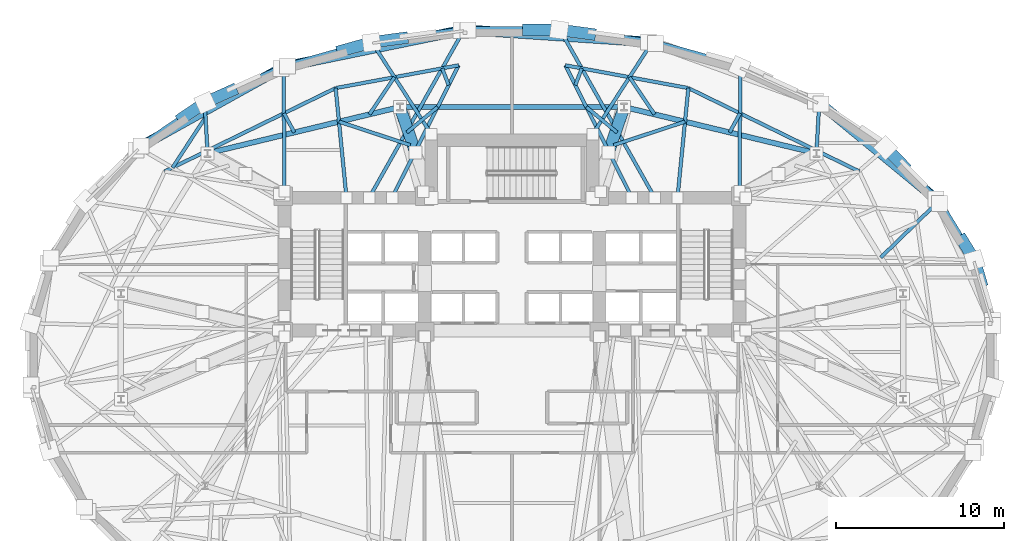
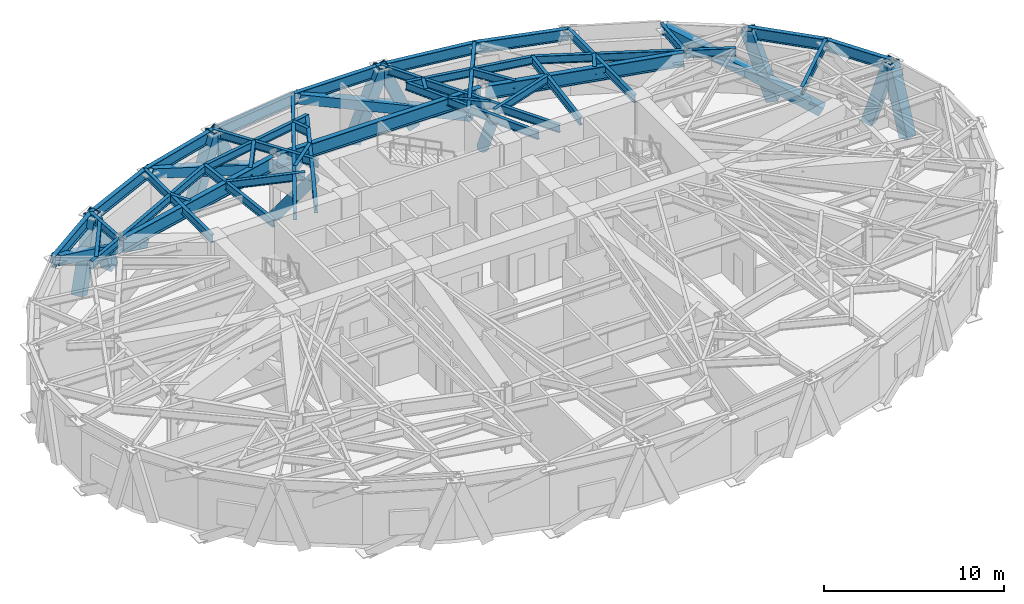
# One storey, part 5 of 14: 40 beams, 15 members.
"""IFC4 building model written with IfcOpenShell, lengths in metres."""

from ifc_helpers import new_model, si_unit, direction, frame, origin, origin_2d, place, context, subcontext, project, spatial, hollow_rectangle, hollow_circle, i_section, extrude, material, material_profile, profile_set, type_object, element, save


model = new_model("IFC4")

# Units and contexts
model_context = context("Model", 3, precision=1e-05, world=origin(), true_north=direction((0.0, 1.0)))
body_context = subcontext(model_context, "Body", "Model", "MODEL_VIEW")
ifc_project = project(units=[si_unit("LENGTHUNIT", "METRE"), si_unit("AREAUNIT", "SQUARE_METRE"), si_unit("VOLUMEUNIT", "CUBIC_METRE"), si_unit("PLANEANGLEUNIT", "RADIAN"), si_unit("MASSUNIT", "GRAM", prefix="KILO")], contexts=[model_context])

# Site, building, storey
site_placement = place(None, origin())
site = spatial("IfcSite", under=ifc_project, at=site_placement, CompositionType="ELEMENT")
building_placement = place(site_placement, origin())
building = spatial("IfcBuilding", under=site, at=building_placement, Name="Keldmark Tower", CompositionType="ELEMENT")
storey_placement = place(building_placement, frame((0.0, 0.0, 77.39990234375)))
storey = spatial("IfcBuildingStorey", under=building, at=storey_placement, Name="L20", CompositionType="ELEMENT", Elevation=77.39990234375)

# Members
ifc_material_1 = material(Name="Steel ASTM A572 Grade 50", Category="steel")
ifc_material_profile_1 = material_profile(ifc_material_1, hollow_rectangle(XDim=0.60009765625, YDim=0.60009765625, WallThickness=0.034912109375, at=origin_2d()), Name="BOX600X600X35")
ifc_profile_set_1 = profile_set([ifc_material_profile_1], Name="Steel ASTM A572 Grade 50")
member_type_1 = type_object("IfcMemberType", Name="Belt Truss Diagonal Brace BOX600", PredefinedType="BRACE", material=ifc_profile_set_1)
member_1_placement = place(storey_placement, frame((25.220947265625, 9.291015625, -0.539794921875), z_axis=(-0.687351392693, 0.566644585006, 0.454380872448), x_axis=(-0.636102163056, -0.771604845861, 0.0)))
element("IfcMember", 1, at=member_1_placement, inside=storey, type_object=member_type_1, Name="L20 Perimeter Belt Truss Brace 02", PredefinedType="BRACE", context=body_context, shape_type="SweptSolid", body=[
    extrude(hollow_rectangle(XDim=0.60009765625, YDim=0.60009765625, WallThickness=0.034912109375, at=origin_2d()), origin(), (0.0, 0.0, 1.0), 9.947021484375),
])
member_2_placement = place(storey_placement, frame((8.121337890625, 18.6328125, -0.539794921875), z_axis=(-0.919777051664, 0.061204004872, 0.387639323365), x_axis=(-0.066395385171, -0.997793391854, 0.0)))
element("IfcMember", 2, at=member_2_placement, inside=storey, type_object=member_type_1, Name="L20 Perimeter Belt Truss Brace 04", PredefinedType="BRACE", context=body_context, shape_type="SweptSolid", body=[
    extrude(hollow_rectangle(XDim=0.60009765625, YDim=0.60009765625, WallThickness=0.034912109375, at=origin_2d()), origin(), (0.0, 0.0, 1.0), 11.65966796875),
])
member_3_placement = place(storey_placement, frame((-3.03857421875, 19.316650390625, -0.539794921875), z_axis=(-0.900089258732, -0.184893796968, 0.394529606187), x_axis=(0.201215770394, -0.979546943104, 0.0)))
element("IfcMember", 3, at=member_3_placement, inside=storey, type_object=member_type_1, Name="L20 Perimeter Belt Truss Brace 05", PredefinedType="BRACE", context=body_context, shape_type="SweptSolid", body=[
    extrude(hollow_rectangle(XDim=0.60009765625, YDim=0.60009765625, WallThickness=0.034912109375, at=origin_2d()), origin(), (0.0, 0.0, 1.0), 11.4560546875),
])
member_4_placement = place(storey_placement, frame((-13.735595703125, 17.0595703125, -0.539794921875), z_axis=(-0.789813707761, -0.438764815289, 0.42857874877), x_axis=(0.485625527038, -0.874166944862, 0.0)))
element("IfcMember", 4, at=member_4_placement, inside=storey, type_object=member_type_1, Name="L20 Perimeter Belt Truss Brace 06", PredefinedType="BRACE", context=body_context, shape_type="SweptSolid", body=[
    extrude(hollow_rectangle(XDim=0.60009765625, YDim=0.60009765625, WallThickness=0.034912109375, at=origin_2d()), origin(), (0.0, 0.0, 1.0), 10.5458984375),
])
ifc_material_2 = material(Name="Steel ASTM A572 Grade 50", Category="steel")
ifc_material_profile_2 = material_profile(ifc_material_2, hollow_rectangle(XDim=0.699951171875, YDim=0.699951171875, WallThickness=0.054931640625, at=origin_2d()), Name="BOX700X700X55")
ifc_profile_set_2 = profile_set([ifc_material_profile_2], Name="Steel ASTM A572 Grade 50")
member_type_2 = type_object("IfcMemberType", Name="Diagrid Zone 1 Brace BOX700X700X55", PredefinedType="BRACE", material=ifc_profile_set_2)
member_5_placement = place(storey_placement, frame((27.8671875, 4.40478515625, -0.31982421875), z_axis=(-0.078649511346, 0.267921156415, 0.960225238322), x_axis=(-0.959511596094, -0.281669126744, 0.0)))
element("IfcMember", 5, at=member_5_placement, inside=storey, type_object=member_type_2, Name="L20 Perimeter Diagrid Brace 01A", PredefinedType="BRACE", context=body_context, shape_type="SweptSolid", body=[
    extrude(hollow_rectangle(XDim=0.699951171875, YDim=0.699951171875, WallThickness=0.054931640625, at=origin_2d()), origin(), (0.0, 0.0, 1.0), 4.66552734375),
])
member_6_placement = place(storey_placement, frame((26.7822265625, 6.8203125, -0.31982421875), z_axis=(0.153640198421, -0.251084541216, 0.9556941156), x_axis=(0.852979915636, 0.521943735973, 0.0)))
element("IfcMember", 6, at=member_6_placement, inside=storey, type_object=member_type_2, Name="L20 Perimeter Diagrid Brace 01B", PredefinedType="BRACE", context=body_context, shape_type="SweptSolid", body=[
    extrude(hollow_rectangle(XDim=0.699951171875, YDim=0.699951171875, WallThickness=0.054931640625, at=origin_2d()), origin(), (0.0, 0.0, 1.0), 4.687744140625),
])
member_7_placement = place(storey_placement, frame((23.25537109375, 11.282958984375, -0.31982421875), z_axis=(-0.221500194035, 0.224396297436, 0.94899102511), x_axis=(-0.711684437638, -0.702499296244, 0.0)))
element("IfcMember", 7, at=member_7_placement, inside=storey, type_object=member_type_2, Name="L20 Perimeter Diagrid Brace 02A", PredefinedType="BRACE", context=body_context, shape_type="SweptSolid", body=[
    extrude(hollow_rectangle(XDim=0.699951171875, YDim=0.699951171875, WallThickness=0.054931640625, at=origin_2d()), origin(), (0.0, 0.0, 1.0), 4.720703125),
])
member_8_placement = place(storey_placement, frame((4.6513671875, 19.10009765625, -0.31982421875), z_axis=(-0.38047009365, 0.051225837235, 0.923373392208), x_axis=(-0.133434294372, -0.991057661837, 0.0)))
element("IfcMember", 8, at=member_8_placement, inside=storey, type_object=member_type_2, Name="L20 Perimeter Diagrid Brace 04A", PredefinedType="BRACE", context=body_context, shape_type="SweptSolid", body=[
    extrude(hollow_rectangle(XDim=0.699951171875, YDim=0.699951171875, WallThickness=0.054931640625, at=origin_2d()), origin(), (0.0, 0.0, 1.0), 4.851806640625),
])
member_9_placement = place(storey_placement, frame((0.93505859375, 19.346435546875, -0.31982421875), z_axis=(0.387275193289, 0.0, 0.921964166691), x_axis=(0.0, 1.0, 0.0)))
element("IfcMember", 9, at=member_9_placement, inside=storey, type_object=member_type_2, Name="L20 Perimeter Diagrid Brace 04B", PredefinedType="BRACE", context=body_context, shape_type="SweptSolid", body=[
    extrude(hollow_rectangle(XDim=0.699951171875, YDim=0.699951171875, WallThickness=0.054931640625, at=origin_2d()), origin(), (0.0, 0.0, 1.0), 4.859130859375),
])
member_10_placement = place(storey_placement, frame((-6.508544921875, 18.84912109375, -0.31982421875), z_axis=(-0.380427056547, -0.051226817932, 0.923391069792), x_axis=(0.133451630096, -0.99105532763, 0.0)))
element("IfcMember", 10, at=member_10_placement, inside=storey, type_object=member_type_2, Name="L20 Perimeter Diagrid Brace 05A", PredefinedType="BRACE", context=body_context, shape_type="SweptSolid", body=[
    extrude(hollow_rectangle(XDim=0.699951171875, YDim=0.699951171875, WallThickness=0.054931640625, at=origin_2d()), origin(), (0.0, 0.0, 1.0), 4.8515625),
])
member_11_placement = place(storey_placement, frame((-10.08154296875, 18.115234375, -0.31982421875), z_axis=(0.359975574224, 0.100936706224, 0.927485507865), x_axis=(-0.269985949358, 0.962864262058, 0.0)))
element("IfcMember", 11, at=member_11_placement, inside=storey, type_object=member_type_2, Name="L20 Perimeter Diagrid Brace 05B", PredefinedType="BRACE", context=body_context, shape_type="SweptSolid", body=[
    extrude(hollow_rectangle(XDim=0.699951171875, YDim=0.699951171875, WallThickness=0.054931640625, at=origin_2d()), origin(), (0.0, 0.0, 1.0), 4.830322265625),
])
member_12_placement = place(storey_placement, frame((-16.677490234375, 15.728759765625, -0.31982421875), z_axis=(-0.32612174834, -0.147566401964, 0.933739129667), x_axis=(0.412249348078, -0.911071059253, 0.0)))
element("IfcMember", 12, at=member_12_placement, inside=storey, type_object=member_type_2, Name="L20 Perimeter Diagrid Brace 06A", PredefinedType="BRACE", context=body_context, shape_type="SweptSolid", body=[
    extrude(hollow_rectangle(XDim=0.699951171875, YDim=0.699951171875, WallThickness=0.054931640625, at=origin_2d()), origin(), (0.0, 0.0, 1.0), 4.7978515625),
])
member_13_placement = place(storey_placement, frame((-19.56298828125, 14.126220703125, -0.31982421875), z_axis=(0.279561268078, 0.18933222761, 0.941275095272), x_axis=(-0.560750723676, 0.827984677332, 0.0)))
element("IfcMember", 13, at=member_13_placement, inside=storey, type_object=member_type_2, Name="L20 Perimeter Diagrid Brace 06B", PredefinedType="BRACE", context=body_context, shape_type="SweptSolid", body=[
    extrude(hollow_rectangle(XDim=0.699951171875, YDim=0.699951171875, WallThickness=0.054931640625, at=origin_2d()), origin(), (0.0, 0.0, 1.0), 4.759521484375),
])

# Beams
ifc_material_3 = material(Name="Steel ASTM A992 Grade 50", Category="steel")
ifc_material_profile_3 = material_profile(ifc_material_3, i_section(OverallWidth=0.31005859375, OverallDepth=0.931884765625, WebThickness=0.02099609375, FlangeThickness=0.034423828125, at=origin_2d()), Name="W36X210")
ifc_profile_set_3 = profile_set([ifc_material_profile_3], Name="Steel ASTM A992 Grade 50")
beam_type_1 = type_object("IfcBeamType", Name="Outrigger Chord Girder W36X210", PredefinedType="BEAM", material=ifc_profile_set_3)
beam_1_placement = place(storey_placement, frame((17.961669921875, 12.040283203125, 3.814208984375), z_axis=(-0.972218707757, 0.2340743136, 0.0), x_axis=(-0.2340743136, -0.972218707757, 0.0)))
element("IfcBeam", 14, at=beam_1_placement, inside=storey, type_object=beam_type_1, Name="L20 Floor Ring Girder FG-R02", PredefinedType="BEAM", context=body_context, shape_type="SweptSolid", body=[
    extrude(i_section(OverallWidth=0.31005859375, OverallDepth=0.931884765625, WebThickness=0.02099609375, FlangeThickness=0.034423828125, at=origin_2d()), origin(), (0.0, 0.0, 1.0), 11.479248046875),
])
beam_2_placement = place(storey_placement, frame((6.525146484375, 14.760009765625, 3.814208984375), z_axis=(-1.0, 0.0, 0.0), x_axis=(0.0, -1.0, 0.0)))
element("IfcBeam", 15, at=beam_2_placement, inside=storey, type_object=beam_type_1, Name="L20 Floor Ring Girder FG-R03", PredefinedType="BEAM", context=body_context, shape_type="SweptSolid", body=[
    extrude(i_section(OverallWidth=0.31005859375, OverallDepth=0.931884765625, WebThickness=0.02099609375, FlangeThickness=0.034423828125, at=origin_2d()), origin(), (0.0, 0.0, 1.0), 13.05029296875),
])
beam_3_placement = place(storey_placement, frame((-6.80126953125, 14.727294921875, 3.814208984375), z_axis=(-0.972218707757, -0.2340743136, 0.0), x_axis=(0.2340743136, -0.972218707757, 0.0)))
element("IfcBeam", 16, at=beam_3_placement, inside=storey, type_object=beam_type_1, Name="L20 Floor Ring Girder FG-R04", PredefinedType="BEAM", context=body_context, shape_type="SweptSolid", body=[
    extrude(i_section(OverallWidth=0.31005859375, OverallDepth=0.931884765625, WebThickness=0.02099609375, FlangeThickness=0.034423828125, at=origin_2d()), origin(), (0.0, 0.0, 1.0), 11.479248046875),
])

# Members
ifc_material_4 = material(Name="Steel ASTM A572 Grade 50", Category="steel")
ifc_material_profile_4 = material_profile(ifc_material_4, hollow_circle(Radius=0.35009765625, WallThickness=0.031982421875, at=origin_2d()), Name="CHS700X32")
ifc_profile_set_4 = profile_set([ifc_material_profile_4], Name="Steel ASTM A572 Grade 50")
member_type_3 = type_object("IfcMemberType", Name="Outrigger Web Strut CHS700X32", PredefinedType="STRUT", material=ifc_profile_set_4)
for number, where, z_axis, x_axis, name in (
    (17, (-6.6650390625, 14.760009765625, 0.150146484375), (0.195080661433, -0.565836054629, 0.801107417777), (0.945391114937, 0.325938091973, 0.0), "L20 Core Outrigger Truss Strut 04B"),
    (18, (6.6650390625, 14.760009765625, 0.150146484375), (-0.195080661433, -0.565836054629, 0.801107417777), (0.945391114937, -0.325938091973, 0.0), "L20 Core Outrigger Truss Strut 08B"),
):
    element("IfcMember", number, at=place(storey_placement, frame(where, z_axis=z_axis, x_axis=x_axis)), inside=storey, type_object=member_type_3, Name=name, PredefinedType="STRUT", context=body_context, shape_type="SweptSolid", body=[
        extrude(hollow_circle(Radius=0.35009765625, WallThickness=0.031982421875, at=origin_2d()), origin(), (0.0, 0.0, 1.0), 4.78076171875),
    ])

# Beams
ifc_material_5 = material(Name="Steel ASTM A992 Grade 50", Category="steel")
ifc_material_profile_5 = material_profile(ifc_material_5, i_section(OverallWidth=0.2099609375, OverallDepth=0.537109375, WebThickness=0.010986328125, FlangeThickness=0.017333984375, at=origin_2d()), Name="W21X68")
ifc_profile_set_5 = profile_set([ifc_material_profile_5], Name="Steel ASTM A992 Grade 50")
beam_type_2 = type_object("IfcBeamType", Name="Radial Tie Girder W21X68", PredefinedType="BEAM", material=ifc_profile_set_5)
beam_4_placement = place(storey_placement, frame((6.039306640625, 12.491943359375, 4.01171875), z_axis=(0.9499750492, 0.312325800884, 0.0), x_axis=(-0.312325800884, 0.9499750492, 0.0)))
element("IfcBeam", 19, at=beam_4_placement, inside=storey, type_object=beam_type_2, Name="L20 Framing Pin Header PH-002", PredefinedType="BEAM", context=body_context, shape_type="SweptSolid", body=[
    extrude(i_section(OverallWidth=0.2099609375, OverallDepth=0.537109375, WebThickness=0.010986328125, FlangeThickness=0.017333984375, at=origin_2d()), origin(), (0.0, 0.0, 1.0), 4.470458984375),
])
beam_5_placement = place(storey_placement, frame((9.83935546875, 9.375, 4.01171875), z_axis=(0.098505819841, 0.99513647479, 0.0), x_axis=(-0.99513647479, 0.098505819841, 0.0)))
element("IfcBeam", 20, at=beam_5_placement, inside=storey, type_object=beam_type_2, Name="L20 Sub-Ring Step Girder STP1-M02", PredefinedType="BEAM", context=body_context, shape_type="SweptSolid", body=[
    extrude(i_section(OverallWidth=0.2099609375, OverallDepth=0.537109375, WebThickness=0.010986328125, FlangeThickness=0.017333984375, at=origin_2d()), origin(), (0.0, 0.0, 1.0), 6.54052734375),
])
beam_6_placement = place(storey_placement, frame((6.247802734375, 13.248046875, 4.01171875), z_axis=(-0.770385602512, 0.637578248878, 0.0), x_axis=(-0.637578248878, -0.770385602512, 0.0)))
element("IfcBeam", 21, at=beam_6_placement, inside=storey, type_object=beam_type_2, Name="L20 Framing Pin Header PH-003", PredefinedType="BEAM", context=body_context, shape_type="SweptSolid", body=[
    extrude(i_section(OverallWidth=0.2099609375, OverallDepth=0.537109375, WebThickness=0.010986328125, FlangeThickness=0.017333984375, at=origin_2d()), origin(), (0.0, 0.0, 1.0), 2.371337890625),
])
beam_7_placement = place(storey_placement, frame((7.132080078125, 9.375, 4.01171875), z_axis=(-0.449662909183, 0.893198336376, 0.0), x_axis=(-0.893198336376, -0.449662909183, 0.0)))
element("IfcBeam", 22, at=beam_7_placement, inside=storey, type_object=beam_type_2, Name="L20 Sub-Ring Step Girder STP1-M03", PredefinedType="BEAM", context=body_context, shape_type="SweptSolid", body=[
    extrude(i_section(OverallWidth=0.2099609375, OverallDepth=0.537109375, WebThickness=0.010986328125, FlangeThickness=0.017333984375, at=origin_2d()), origin(), (0.0, 0.0, 1.0), 8.805419921875),
])
beam_8_placement = place(storey_placement, frame((-6.247802734375, 13.248046875, 4.01171875), z_axis=(0.770385602512, 0.637578248878, 0.0), x_axis=(-0.637578248878, 0.770385602512, 0.0)))
element("IfcBeam", 23, at=beam_8_placement, inside=storey, type_object=beam_type_2, Name="L20 Framing Pin Header PH-004", PredefinedType="BEAM", context=body_context, shape_type="SweptSolid", body=[
    extrude(i_section(OverallWidth=0.2099609375, OverallDepth=0.537109375, WebThickness=0.010986328125, FlangeThickness=0.017333984375, at=origin_2d()), origin(), (0.0, 0.0, 1.0), 2.371337890625),
])
beam_9_placement = place(storey_placement, frame((-7.132080078125, 9.375, 4.01171875), z_axis=(0.449662909183, 0.893198336376, 0.0), x_axis=(-0.893198336376, 0.449662909183, 0.0)))
element("IfcBeam", 24, at=beam_9_placement, inside=storey, type_object=beam_type_2, Name="L20 Sub-Ring Step Girder STP1-M04", PredefinedType="BEAM", context=body_context, shape_type="SweptSolid", body=[
    extrude(i_section(OverallWidth=0.2099609375, OverallDepth=0.537109375, WebThickness=0.010986328125, FlangeThickness=0.017333984375, at=origin_2d()), origin(), (0.0, 0.0, 1.0), 8.805419921875),
])
beam_10_placement = place(storey_placement, frame((-6.039306640625, 12.491943359375, 4.01171875), z_axis=(-0.9499750492, 0.312325800884, 0.0), x_axis=(-0.312325800884, -0.9499750492, 0.0)))
element("IfcBeam", 25, at=beam_10_placement, inside=storey, type_object=beam_type_2, Name="L20 Framing Pin Header PH-005", PredefinedType="BEAM", context=body_context, shape_type="SweptSolid", body=[
    extrude(i_section(OverallWidth=0.2099609375, OverallDepth=0.537109375, WebThickness=0.010986328125, FlangeThickness=0.017333984375, at=origin_2d()), origin(), (0.0, 0.0, 1.0), 4.470458984375),
])
beam_11_placement = place(storey_placement, frame((-9.83935546875, 9.375, 4.01171875), z_axis=(-0.098505819841, 0.99513647479, 0.0), x_axis=(-0.99513647479, -0.098505819841, 0.0)))
element("IfcBeam", 26, at=beam_11_placement, inside=storey, type_object=beam_type_2, Name="L20 Sub-Ring Step Girder STP1-M05", PredefinedType="BEAM", context=body_context, shape_type="SweptSolid", body=[
    extrude(i_section(OverallWidth=0.2099609375, OverallDepth=0.537109375, WebThickness=0.010986328125, FlangeThickness=0.017333984375, at=origin_2d()), origin(), (0.0, 0.0, 1.0), 6.54052734375),
])
beam_12_placement = place(storey_placement, frame((20.64306640625, 10.931396484375, 4.01171875), z_axis=(-0.898887784258, 0.438178903316, 0.0), x_axis=(-0.438178903316, -0.898887784258, 0.0)))
element("IfcBeam", 27, at=beam_12_placement, inside=storey, type_object=beam_type_2, Name="L20 Perimeter Collector Ring Beam CRG1-M01", PredefinedType="BEAM", context=body_context, shape_type="SweptSolid", body=[
    extrude(i_section(OverallWidth=0.2099609375, OverallDepth=0.537109375, WebThickness=0.010986328125, FlangeThickness=0.017333984375, at=origin_2d()), origin(), (0.0, 0.0, 1.0), 11.30224609375),
])
for number, where, z_axis, x_axis, name in (
    (28, (10.483642578125, 15.8837890625, 4.01171875), (-0.983226438752, 0.182389062555, 0.0), (-0.182389062555, -0.983226438752, 0.0), "L20 Perimeter Collector Ring Beam CRG1-M02"),
    (29, (-3.172607421875, 17.239990234375, 4.01171875), (-0.983226438752, -0.182389062555, 0.0), (0.182389062555, -0.983226438752, 0.0), "L20 Perimeter Collector Ring Beam CRG1-M04"),
):
    element("IfcBeam", number, at=place(storey_placement, frame(where, z_axis=z_axis, x_axis=x_axis)), inside=storey, type_object=beam_type_2, Name=name, PredefinedType="BEAM", context=body_context, shape_type="SweptSolid", body=[
        extrude(i_section(OverallWidth=0.2099609375, OverallDepth=0.537109375, WebThickness=0.010986328125, FlangeThickness=0.017333984375, at=origin_2d()), origin(), (0.0, 0.0, 1.0), 7.435791015625),
    ])
beam_13_placement = place(storey_placement, frame((-10.483642578125, 15.8837890625, 4.01171875), z_axis=(-0.898887784258, -0.438178903316, 0.0), x_axis=(0.438178903316, -0.898887784258, 0.0)))
element("IfcBeam", 30, at=beam_13_placement, inside=storey, type_object=beam_type_2, Name="L20 Perimeter Collector Ring Beam CRG1-M05", PredefinedType="BEAM", context=body_context, shape_type="SweptSolid", body=[
    extrude(i_section(OverallWidth=0.2099609375, OverallDepth=0.537109375, WebThickness=0.010986328125, FlangeThickness=0.017333984375, at=origin_2d()), origin(), (0.0, 0.0, 1.0), 11.30224609375),
])
beam_14_placement = place(storey_placement, frame((21.927978515625, 5.8193359375, 4.01171875), z_axis=(0.717222475954, 0.696844258057, 0.0), x_axis=(-0.696844258057, 0.717222475954, 0.0)))
element("IfcBeam", 31, at=beam_14_placement, inside=storey, type_object=beam_type_2, Name="L20 Perimeter Radial Tie Girder RT-03", PredefinedType="BEAM", context=body_context, shape_type="SweptSolid", body=[
    extrude(i_section(OverallWidth=0.2099609375, OverallDepth=0.537109375, WebThickness=0.010986328125, FlangeThickness=0.017333984375, at=origin_2d()), origin(), (0.0, 0.0, 1.0), 4.840087890625),
])
beam_15_placement = place(storey_placement, frame((18.09765625, 12.00732421875, 4.01171875), z_axis=(0.056280082342, 0.998415020085, 0.0), x_axis=(-0.998415020085, 0.056280082342, 0.0)))
element("IfcBeam", 32, at=beam_15_placement, inside=storey, type_object=beam_type_2, Name="L20 Perimeter Column Bracket RT-05", PredefinedType="BEAM", context=body_context, shape_type="SweptSolid", body=[
    extrude(i_section(OverallWidth=0.2099609375, OverallDepth=0.537109375, WebThickness=0.010986328125, FlangeThickness=0.017333984375, at=origin_2d()), origin(), (0.0, 0.0, 1.0), 3.0712890625),
])
beam_16_placement = place(storey_placement, frame((12.939453125, 13.249267578125, 4.01171875), z_axis=(0.477462625302, 0.878652059373, 0.0), x_axis=(-0.878652059373, 0.477462625302, 0.0)))
element("IfcBeam", 33, at=beam_16_placement, inside=storey, type_object=beam_type_2, Name="L20 Framing Pin Header PH-017", PredefinedType="BEAM", context=body_context, shape_type="SweptSolid", body=[
    extrude(i_section(OverallWidth=0.2099609375, OverallDepth=0.537109375, WebThickness=0.010986328125, FlangeThickness=0.017333984375, at=origin_2d()), origin(), (0.0, 0.0, 1.0), 1.293212890625),
])
beam_17_placement = place(storey_placement, frame((13.52490234375, 9.75, 4.01171875), z_axis=(0.006883954241, 0.999976305306, 0.0), x_axis=(-0.999976305306, 0.006883954241, 0.0)))
element("IfcBeam", 34, at=beam_17_placement, inside=storey, type_object=beam_type_2, Name="L20 Perimeter Radial Tie Girder RT-06", PredefinedType="BEAM", context=body_context, shape_type="SweptSolid", body=[
    extrude(i_section(OverallWidth=0.2099609375, OverallDepth=0.537109375, WebThickness=0.010986328125, FlangeThickness=0.017333984375, at=origin_2d()), origin(), (0.0, 0.0, 1.0), 7.44775390625),
])
beam_18_placement = place(storey_placement, frame((8.475341796875, 14.32421875, 4.01171875), z_axis=(-0.559217843702, 0.829020749611, 0.0), x_axis=(-0.829020749611, -0.559217843702, 0.0)))
element("IfcBeam", 35, at=beam_18_placement, inside=storey, type_object=beam_type_2, Name="L20 Framing Pin Header PH-018", PredefinedType="BEAM", context=body_context, shape_type="SweptSolid", body=[
    extrude(i_section(OverallWidth=0.2099609375, OverallDepth=0.537109375, WebThickness=0.010986328125, FlangeThickness=0.017333984375, at=origin_2d()), origin(), (0.0, 0.0, 1.0), 2.6640625),
])
beam_19_placement = place(storey_placement, frame((4.800048828125, 13.14990234375, 4.01171875), z_axis=(0.542653992806, 0.839956334634, 0.0), x_axis=(-0.839956334634, 0.542653992806, 0.0)))
element("IfcBeam", 36, at=beam_19_placement, inside=storey, type_object=beam_type_2, Name="L20 Perimeter Radial Tie Girder RT-07", PredefinedType="BEAM", context=body_context, shape_type="SweptSolid", body=[
    extrude(i_section(OverallWidth=0.2099609375, OverallDepth=0.537109375, WebThickness=0.010986328125, FlangeThickness=0.017333984375, at=origin_2d()), origin(), (0.0, 0.0, 1.0), 6.560546875),
])
beam_20_placement = place(storey_placement, frame((3.766357421875, 16.060302734375, 4.01171875), z_axis=(0.356897222328, 0.934143657418, 0.0), x_axis=(-0.934143657418, 0.356897222328, 0.0)))
element("IfcBeam", 37, at=beam_20_placement, inside=storey, type_object=beam_type_2, Name="L20 Framing Pin Header PH-019", PredefinedType="BEAM", context=body_context, shape_type="SweptSolid", body=[
    extrude(i_section(OverallWidth=0.2099609375, OverallDepth=0.537109375, WebThickness=0.010986328125, FlangeThickness=0.017333984375, at=origin_2d()), origin(), (0.0, 0.0, 1.0), 1.069091796875),
])
beam_21_placement = place(storey_placement, frame((8.485595703125, 9.375, 4.01171875), z_axis=(-0.491589961005, 0.870826796923, 0.0), x_axis=(-0.870826796923, -0.491589961005, 0.0)))
element("IfcBeam", 38, at=beam_21_placement, inside=storey, type_object=beam_type_2, Name="L20 Perimeter Radial Tie Girder RT-08", PredefinedType="BEAM", context=body_context, shape_type="SweptSolid", body=[
    extrude(i_section(OverallWidth=0.2099609375, OverallDepth=0.537109375, WebThickness=0.010986328125, FlangeThickness=0.017333984375, at=origin_2d()), origin(), (0.0, 0.0, 1.0), 11.51904296875),
])
beam_22_placement = place(storey_placement, frame((-3.766357421875, 16.060302734375, 4.01171875), z_axis=(-0.356897222328, 0.934143657418, 0.0), x_axis=(-0.934143657418, -0.356897222328, 0.0)))
element("IfcBeam", 39, at=beam_22_placement, inside=storey, type_object=beam_type_2, Name="L20 Framing Pin Header PH-020", PredefinedType="BEAM", context=body_context, shape_type="SweptSolid", body=[
    extrude(i_section(OverallWidth=0.2099609375, OverallDepth=0.537109375, WebThickness=0.010986328125, FlangeThickness=0.017333984375, at=origin_2d()), origin(), (0.0, 0.0, 1.0), 1.069091796875),
])
beam_23_placement = place(storey_placement, frame((-8.485595703125, 9.375, 4.01171875), z_axis=(0.491589961005, 0.870826796923, 0.0), x_axis=(-0.870826796923, 0.491589961005, 0.0)))
element("IfcBeam", 40, at=beam_23_placement, inside=storey, type_object=beam_type_2, Name="L20 Perimeter Radial Tie Girder RT-09", PredefinedType="BEAM", context=body_context, shape_type="SweptSolid", body=[
    extrude(i_section(OverallWidth=0.2099609375, OverallDepth=0.537109375, WebThickness=0.010986328125, FlangeThickness=0.017333984375, at=origin_2d()), origin(), (0.0, 0.0, 1.0), 11.51904296875),
])
beam_24_placement = place(storey_placement, frame((-8.475341796875, 14.32421875, 4.01171875), z_axis=(0.559217843702, 0.829020749611, 0.0), x_axis=(-0.829020749611, 0.559217843702, 0.0)))
element("IfcBeam", 41, at=beam_24_placement, inside=storey, type_object=beam_type_2, Name="L20 Framing Pin Header PH-021", PredefinedType="BEAM", context=body_context, shape_type="SweptSolid", body=[
    extrude(i_section(OverallWidth=0.2099609375, OverallDepth=0.537109375, WebThickness=0.010986328125, FlangeThickness=0.017333984375, at=origin_2d()), origin(), (0.0, 0.0, 1.0), 2.6640625),
])
beam_25_placement = place(storey_placement, frame((-4.800048828125, 13.14990234375, 4.01171875), z_axis=(-0.542653992806, 0.839956334634, 0.0), x_axis=(-0.839956334634, -0.542653992806, 0.0)))
element("IfcBeam", 42, at=beam_25_placement, inside=storey, type_object=beam_type_2, Name="L20 Perimeter Radial Tie Girder RT-10", PredefinedType="BEAM", context=body_context, shape_type="SweptSolid", body=[
    extrude(i_section(OverallWidth=0.2099609375, OverallDepth=0.537109375, WebThickness=0.010986328125, FlangeThickness=0.017333984375, at=origin_2d()), origin(), (0.0, 0.0, 1.0), 6.560546875),
])
beam_26_placement = place(storey_placement, frame((-12.939453125, 13.249267578125, 4.01171875), z_axis=(-0.477462625302, 0.878652059373, 0.0), x_axis=(-0.878652059373, -0.477462625302, 0.0)))
element("IfcBeam", 43, at=beam_26_placement, inside=storey, type_object=beam_type_2, Name="L20 Framing Pin Header PH-022", PredefinedType="BEAM", context=body_context, shape_type="SweptSolid", body=[
    extrude(i_section(OverallWidth=0.2099609375, OverallDepth=0.537109375, WebThickness=0.010986328125, FlangeThickness=0.017333984375, at=origin_2d()), origin(), (0.0, 0.0, 1.0), 1.293212890625),
])
beam_27_placement = place(storey_placement, frame((-13.52490234375, 9.75, 4.01171875), z_axis=(-0.006883954241, 0.999976305306, 0.0), x_axis=(-0.999976305306, -0.006883954241, 0.0)))
element("IfcBeam", 44, at=beam_27_placement, inside=storey, type_object=beam_type_2, Name="L20 Perimeter Radial Tie Girder RT-11", PredefinedType="BEAM", context=body_context, shape_type="SweptSolid", body=[
    extrude(i_section(OverallWidth=0.2099609375, OverallDepth=0.537109375, WebThickness=0.010986328125, FlangeThickness=0.017333984375, at=origin_2d()), origin(), (0.0, 0.0, 1.0), 7.44775390625),
])
beam_28_placement = place(storey_placement, frame((-18.09765625, 12.00732421875, 4.01171875), z_axis=(-0.056280082342, 0.998415020085, 0.0), x_axis=(-0.998415020085, -0.056280082342, 0.0)))
element("IfcBeam", 45, at=beam_28_placement, inside=storey, type_object=beam_type_2, Name="L20 Perimeter Column Bracket RT-12", PredefinedType="BEAM", context=body_context, shape_type="SweptSolid", body=[
    extrude(i_section(OverallWidth=0.2099609375, OverallDepth=0.537109375, WebThickness=0.010986328125, FlangeThickness=0.017333984375, at=origin_2d()), origin(), (0.0, 0.0, 1.0), 3.0712890625),
])
beam_29_placement = place(storey_placement, frame((-18.21875, 14.15380859375, 4.01171875), z_axis=(-0.547585420965, -0.83674978742, 0.0), x_axis=(0.83674978742, -0.547585420965, 0.0)))
element("IfcBeam", 46, at=beam_29_placement, inside=storey, type_object=beam_type_2, Name="L20 Framing Pin Header PH-023", PredefinedType="BEAM", context=body_context, shape_type="SweptSolid", body=[
    extrude(i_section(OverallWidth=0.2099609375, OverallDepth=0.537109375, WebThickness=0.010986328125, FlangeThickness=0.017333984375, at=origin_2d()), origin(), (0.0, 0.0, 1.0), 3.58154296875),
])
ifc_material_6 = material(Name="Steel ASTM A992 Grade 50", Category="steel")
ifc_material_profile_6 = material_profile(ifc_material_6, i_section(OverallWidth=0.26806640625, OverallDepth=0.77001953125, WebThickness=0.015625, FlangeThickness=0.025390625, at=origin_2d()), Name="W30X132")
ifc_profile_set_6 = profile_set([ifc_material_profile_6], Name="Steel ASTM A992 Grade 50")
beam_type_3 = type_object("IfcBeamType", Name="Spandrel Ring Beam W30X132", PredefinedType="SPANDREL", material=ifc_profile_set_6)
beam_30_placement = place(storey_placement, frame((27.559814453125, 5.66064453125, 3.89501953125), z_axis=(-0.521848315684, 0.853038296572, 0.0), x_axis=(-0.853038296572, -0.521848315684, 0.0)))
element("IfcBeam", 47, at=beam_30_placement, inside=storey, type_object=beam_type_3, Name="L20 Perimeter Spandrel Ring Beam SRB-02", PredefinedType="SPANDREL", context=body_context, shape_type="SweptSolid", body=[
    extrude(i_section(OverallWidth=0.26806640625, OverallDepth=0.77001953125, WebThickness=0.015625, FlangeThickness=0.025390625, at=origin_2d()), origin(), (0.0, 0.0, 1.0), 4.139892578125),
])
beam_31_placement = place(storey_placement, frame((25.3994140625, 9.192138671875, 3.89501953125), z_axis=(-0.702416934119, 0.711765727373, 0.0), x_axis=(-0.711765727373, -0.702416934119, 0.0)))
element("IfcBeam", 48, at=beam_31_placement, inside=storey, type_object=beam_type_3, Name="L20 Perimeter Spandrel Ring Beam SRB-03", PredefinedType="SPANDREL", context=body_context, shape_type="SweptSolid", body=[
    extrude(i_section(OverallWidth=0.26806640625, OverallDepth=0.77001953125, WebThickness=0.015625, FlangeThickness=0.025390625, at=origin_2d()), origin(), (0.0, 0.0, 1.0), 4.465576171875),
])
beam_32_placement = place(storey_placement, frame((13.576171875, 17.197509765625, 3.89501953125), z_axis=(-0.962849260033, 0.270039446109, 0.0), x_axis=(-0.270039446109, -0.962849260033, 0.0)))
element("IfcBeam", 49, at=beam_32_placement, inside=storey, type_object=beam_type_3, Name="L20 Perimeter Spandrel Ring Beam SRB-06", PredefinedType="SPANDREL", context=body_context, shape_type="SweptSolid", body=[
    extrude(i_section(OverallWidth=0.26806640625, OverallDepth=0.77001953125, WebThickness=0.015625, FlangeThickness=0.025390625, at=origin_2d()), origin(), (0.0, 0.0, 1.0), 5.417236328125),
])
beam_33_placement = place(storey_placement, frame((8.360107421875, 18.660400390625, 3.89501953125), z_axis=(-0.99105532763, 0.133451630096, 0.0), x_axis=(-0.133451630096, -0.99105532763, 0.0)))
element("IfcBeam", 50, at=beam_33_placement, inside=storey, type_object=beam_type_3, Name="L20 Perimeter Spandrel Ring Beam SRB-07", PredefinedType="SPANDREL", context=body_context, shape_type="SweptSolid", body=[
    extrude(i_section(OverallWidth=0.26806640625, OverallDepth=0.77001953125, WebThickness=0.015625, FlangeThickness=0.025390625, at=origin_2d()), origin(), (0.0, 0.0, 1.0), 5.587158203125),
])
beam_34_placement = place(storey_placement, frame((2.822998046875, 19.406005859375, 3.89501953125), z_axis=(-1.0, 0.0, 0.0), x_axis=(0.0, -1.0, 0.0)))
element("IfcBeam", 51, at=beam_34_placement, inside=storey, type_object=beam_type_3, Name="L20 Perimeter Spandrel Ring Beam SRB-08", PredefinedType="SPANDREL", context=body_context, shape_type="SweptSolid", body=[
    extrude(i_section(OverallWidth=0.26806640625, OverallDepth=0.77001953125, WebThickness=0.015625, FlangeThickness=0.025390625, at=origin_2d()), origin(), (0.0, 0.0, 1.0), 5.64599609375),
])
beam_35_placement = place(storey_placement, frame((-2.822998046875, 19.406005859375, 3.89501953125), z_axis=(-0.99105532763, -0.133451630096, 0.0), x_axis=(0.133451630096, -0.99105532763, 0.0)))
element("IfcBeam", 52, at=beam_35_placement, inside=storey, type_object=beam_type_3, Name="L20 Perimeter Spandrel Ring Beam SRB-09", PredefinedType="SPANDREL", context=body_context, shape_type="SweptSolid", body=[
    extrude(i_section(OverallWidth=0.26806640625, OverallDepth=0.77001953125, WebThickness=0.015625, FlangeThickness=0.025390625, at=origin_2d()), origin(), (0.0, 0.0, 1.0), 5.587158203125),
])
beam_36_placement = place(storey_placement, frame((-8.360107421875, 18.660400390625, 3.89501953125), z_axis=(-0.962849260033, -0.270039446109, 0.0), x_axis=(0.270039446109, -0.962849260033, 0.0)))
element("IfcBeam", 53, at=beam_36_placement, inside=storey, type_object=beam_type_3, Name="L20 Perimeter Spandrel Ring Beam SRB-10", PredefinedType="SPANDREL", context=body_context, shape_type="SweptSolid", body=[
    extrude(i_section(OverallWidth=0.26806640625, OverallDepth=0.77001953125, WebThickness=0.015625, FlangeThickness=0.025390625, at=origin_2d()), origin(), (0.0, 0.0, 1.0), 5.417236328125),
])
beam_37_placement = place(storey_placement, frame((-13.576171875, 17.197509765625, 3.89501953125), z_axis=(-0.911096907159, -0.412192219439, 0.0), x_axis=(0.412192219439, -0.911096907159, 0.0)))
element("IfcBeam", 54, at=beam_37_placement, inside=storey, type_object=beam_type_3, Name="L20 Perimeter Spandrel Ring Beam SRB-11", PredefinedType="SPANDREL", context=body_context, shape_type="SweptSolid", body=[
    extrude(i_section(OverallWidth=0.26806640625, OverallDepth=0.77001953125, WebThickness=0.015625, FlangeThickness=0.025390625, at=origin_2d()), origin(), (0.0, 0.0, 1.0), 5.15234375),
])
beam_38_placement = place(storey_placement, frame((-18.2705078125, 15.07373046875, 3.89501953125), z_axis=(-0.82804003003, -0.560668983151, 0.0), x_axis=(0.560668983151, -0.82804003003, 0.0)))
element("IfcBeam", 55, at=beam_38_placement, inside=storey, type_object=beam_type_3, Name="L20 Perimeter Spandrel Ring Beam SRB-12", PredefinedType="SPANDREL", context=body_context, shape_type="SweptSolid", body=[
    extrude(i_section(OverallWidth=0.26806640625, OverallDepth=0.77001953125, WebThickness=0.015625, FlangeThickness=0.025390625, at=origin_2d()), origin(), (0.0, 0.0, 1.0), 4.8212890625),
])

save(model, "model.ifc")
